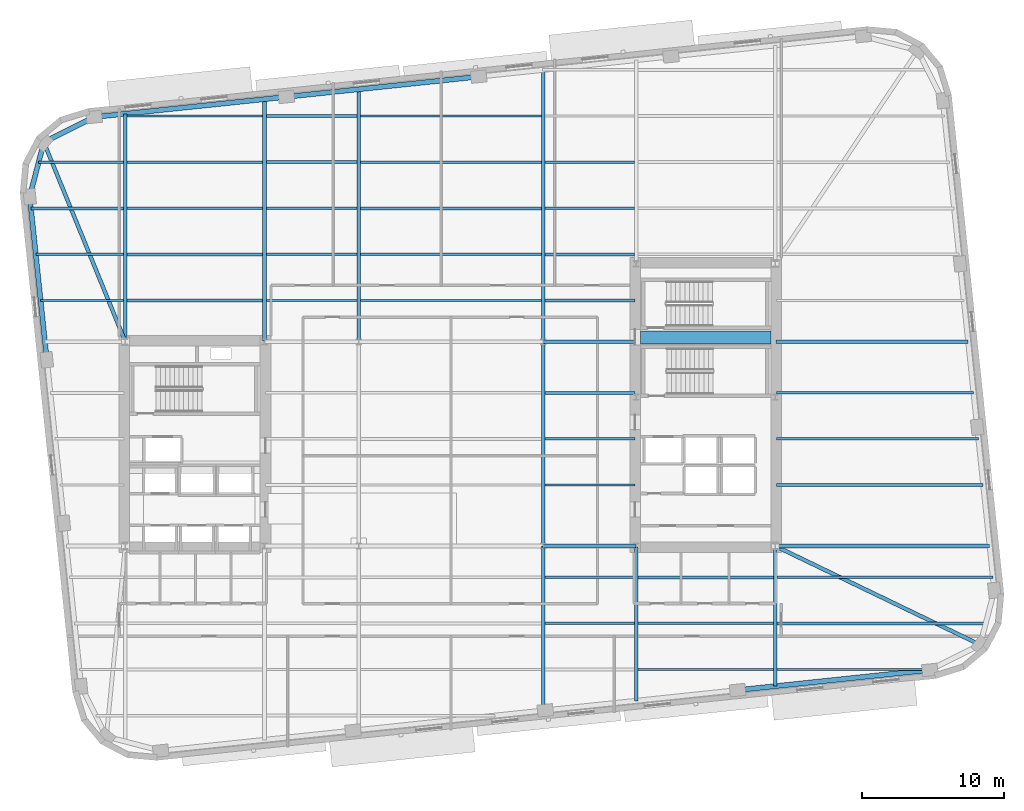
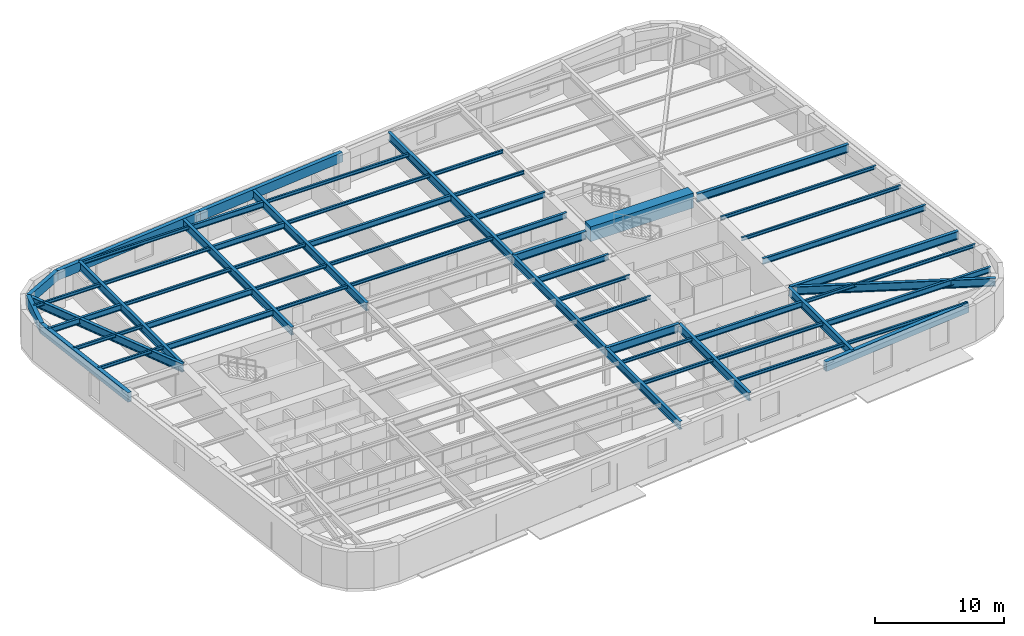
# One storey, part 2 of 11: 58 beams.
"""IFC4 building model written with IfcOpenShell, lengths in metres."""

from ifc_helpers import new_model, si_unit, direction, frame, origin, origin_2d, place, context, subcontext, project, spatial, rectangle, hollow_rectangle, i_section, extrude, material, material_profile, profile_set, type_object, element, save


model = new_model("IFC4")

# Units and contexts
model_context = context("Model", 3, precision=1e-05, world=origin(), true_north=direction((0.0, 1.0)))
body_context = subcontext(model_context, "Body", "Model", "MODEL_VIEW")
ifc_project = project(units=[si_unit("LENGTHUNIT", "METRE"), si_unit("AREAUNIT", "SQUARE_METRE"), si_unit("VOLUMEUNIT", "CUBIC_METRE"), si_unit("PLANEANGLEUNIT", "RADIAN"), si_unit("MASSUNIT", "GRAM", prefix="KILO")], contexts=[model_context])

# Site, building, storey
site_placement = place(None, origin())
site = spatial("IfcSite", under=ifc_project, at=site_placement, CompositionType="ELEMENT")
building_placement = place(site_placement, origin())
building = spatial("IfcBuilding", under=site, at=building_placement, Name="Kolvaren Arena Tower", CompositionType="ELEMENT")
storey_placement = place(building_placement, frame((0.0, 0.0, 134.5)))
storey = spatial("IfcBuildingStorey", under=building, at=storey_placement, Name="L31", CompositionType="ELEMENT", Elevation=134.5)

# Beams
ifc_material_1 = material(Name="Steel CSA G40.21 350W", Category="steel")
ifc_material_profile_1 = material_profile(ifc_material_1, i_section(OverallWidth=0.2119140625, OverallDepth=0.54296875, WebThickness=0.01318359375, FlangeThickness=0.0244140625, FilletRadius=0.013916015625, at=origin_2d()), Name="W530x150")
ifc_profile_set_1 = profile_set([ifc_material_profile_1], Name="Steel CSA G40.21 350W")
beam_type_1 = type_object("IfcBeamType", Name="BEAM-F1", PredefinedType="BEAM", material=ifc_profile_set_1)
beam_1_placement = place(storey_placement, frame((60.485107421875, 14.0, 3.20849609375), z_axis=(1.0, 0.0, 0.0), x_axis=(0.0, 1.0, 0.0)))
element("IfcBeam", 1, at=beam_1_placement, inside=storey, type_object=beam_type_1, Name="Composite Floor Beam (L31)", PredefinedType="BEAM", context=body_context, shape_type="SweptSolid", body=[
    extrude(i_section(OverallWidth=0.2119140625, OverallDepth=0.54296875, WebThickness=0.01318359375, FlangeThickness=0.0244140625, FilletRadius=0.013916015625, at=origin_2d()), origin(), (0.0, 0.0, 1.0), 14.69677734375),
])
beam_2_placement = place(storey_placement, frame((50.68505859375, 17.25, 3.20849609375), z_axis=(1.0, 0.0, 0.0), x_axis=(0.0, 1.0, 0.0)))
element("IfcBeam", 2, at=beam_2_placement, inside=storey, type_object=beam_type_1, Name="Composite Floor Beam (L31)", PredefinedType="BEAM", context=body_context, shape_type="SweptSolid", body=[
    extrude(i_section(OverallWidth=0.2119140625, OverallDepth=0.54296875, WebThickness=0.01318359375, FlangeThickness=0.0244140625, FilletRadius=0.013916015625, at=origin_2d()), origin(), (0.0, 0.0, 1.0), 9.530029296875),
])
beam_3_placement = place(storey_placement, frame((60.445068359375, 23.75, 3.20849609375), z_axis=(1.0, 0.0, 0.0), x_axis=(0.0, 1.0, 0.0)))
element("IfcBeam", 3, at=beam_3_placement, inside=storey, type_object=beam_type_1, Name="Composite Floor Beam (L31)", PredefinedType="BEAM", context=body_context, shape_type="SweptSolid", body=[
    extrude(i_section(OverallWidth=0.2119140625, OverallDepth=0.54296875, WebThickness=0.01318359375, FlangeThickness=0.0244140625, FilletRadius=0.013916015625, at=origin_2d()), origin(), (0.0, 0.0, 1.0), 14.56103515625),
])
beam_4_placement = place(storey_placement, frame((44.135009765625, 30.25, 3.20849609375), z_axis=(1.0, 0.0, 0.0), x_axis=(0.0, 1.0, 0.0)))
element("IfcBeam", 4, at=beam_4_placement, inside=storey, type_object=beam_type_1, Name="Composite Floor Beam (L31)", PredefinedType="BEAM", context=body_context, shape_type="SweptSolid", body=[
    extrude(i_section(OverallWidth=0.2119140625, OverallDepth=0.54296875, WebThickness=0.01318359375, FlangeThickness=0.0244140625, FilletRadius=0.013916015625, at=origin_2d()), origin(), (0.0, 0.0, 1.0), 6.320068359375),
])
beam_5_placement = place(storey_placement, frame((14.68505859375, 36.75, 3.20849609375), z_axis=(1.0, 0.0, 0.0), x_axis=(0.0, 1.0, 0.0)))
element("IfcBeam", 5, at=beam_5_placement, inside=storey, type_object=beam_type_1, Name="Composite Floor Beam (L31)", PredefinedType="BEAM", context=body_context, shape_type="SweptSolid", body=[
    extrude(i_section(OverallWidth=0.2119140625, OverallDepth=0.54296875, WebThickness=0.01318359375, FlangeThickness=0.0244140625, FilletRadius=0.013916015625, at=origin_2d()), origin(), (0.0, 0.0, 1.0), 9.530029296875),
])
beam_6_placement = place(storey_placement, frame((44.135009765625, 36.75, 3.20849609375), z_axis=(1.0, 0.0, 0.0), x_axis=(0.0, 1.0, 0.0)))
element("IfcBeam", 6, at=beam_6_placement, inside=storey, type_object=beam_type_1, Name="Composite Floor Beam (L31)", PredefinedType="BEAM", context=body_context, shape_type="SweptSolid", body=[
    extrude(i_section(OverallWidth=0.2119140625, OverallDepth=0.54296875, WebThickness=0.01318359375, FlangeThickness=0.0244140625, FilletRadius=0.013916015625, at=origin_2d()), origin(), (0.0, 0.0, 1.0), 6.320068359375),
])
beam_7_placement = place(storey_placement, frame((14.68505859375, 40.0, 3.20849609375), z_axis=(1.0, 0.0, 0.0), x_axis=(0.0, 1.0, 0.0)))
element("IfcBeam", 7, at=beam_7_placement, inside=storey, type_object=beam_type_1, Name="Composite Floor Beam (L31)", PredefinedType="BEAM", context=body_context, shape_type="SweptSolid", body=[
    extrude(i_section(OverallWidth=0.2119140625, OverallDepth=0.54296875, WebThickness=0.01318359375, FlangeThickness=0.0244140625, FilletRadius=0.013916015625, at=origin_2d()), origin(), (0.0, 0.0, 1.0), 9.530029296875),
])
beam_8_placement = place(storey_placement, frame((44.135009765625, 40.0, 3.20849609375), z_axis=(1.0, 0.0, 0.0), x_axis=(0.0, 1.0, 0.0)))
element("IfcBeam", 8, at=beam_8_placement, inside=storey, type_object=beam_type_1, Name="Composite Floor Beam (L31)", PredefinedType="BEAM", context=body_context, shape_type="SweptSolid", body=[
    extrude(i_section(OverallWidth=0.2119140625, OverallDepth=0.54296875, WebThickness=0.01318359375, FlangeThickness=0.0244140625, FilletRadius=0.013916015625, at=origin_2d()), origin(), (0.0, 0.0, 1.0), 6.280029296875),
])
beam_9_placement = place(storey_placement, frame((7.900146484375, 43.25, 3.20849609375), z_axis=(1.0, 0.0, 0.0), x_axis=(0.0, 1.0, 0.0)))
element("IfcBeam", 9, at=beam_9_placement, inside=storey, type_object=beam_type_1, Name="Composite Floor Beam (L31)", PredefinedType="BEAM", context=body_context, shape_type="SweptSolid", body=[
    extrude(i_section(OverallWidth=0.2119140625, OverallDepth=0.54296875, WebThickness=0.01318359375, FlangeThickness=0.0244140625, FilletRadius=0.013916015625, at=origin_2d()), origin(), (0.0, 0.0, 1.0), 6.514892578125),
])
beam_10_placement = place(storey_placement, frame((31.135009765625, 43.25, 3.20849609375), z_axis=(1.0, 0.0, 0.0), x_axis=(0.0, 1.0, 0.0)))
element("IfcBeam", 10, at=beam_10_placement, inside=storey, type_object=beam_type_1, Name="Composite Floor Beam (L31)", PredefinedType="BEAM", context=body_context, shape_type="SweptSolid", body=[
    extrude(i_section(OverallWidth=0.2119140625, OverallDepth=0.54296875, WebThickness=0.01318359375, FlangeThickness=0.0244140625, FilletRadius=0.013916015625, at=origin_2d()), origin(), (0.0, 0.0, 1.0), 12.72998046875),
])
for number, where, z_axis, x_axis, name in (
    (11, (24.485107421875, 46.5, 3.20849609375), (1.0, 0.0, 0.0), (0.0, 1.0, 0.0), "Composite Floor Beam (L31)"),
    (12, (24.485107421875, 49.75, 3.20849609375), (1.0, 0.0, 0.0), (0.0, 1.0, 0.0), "Composite Floor Beam (L31)"),
):
    element("IfcBeam", number, at=place(storey_placement, frame(where, z_axis=z_axis, x_axis=x_axis)), inside=storey, type_object=beam_type_1, Name=name, PredefinedType="BEAM", context=body_context, shape_type="SweptSolid", body=[
        extrude(i_section(OverallWidth=0.2119140625, OverallDepth=0.54296875, WebThickness=0.01318359375, FlangeThickness=0.0244140625, FilletRadius=0.013916015625, at=origin_2d()), origin(), (0.0, 0.0, 1.0), 6.3798828125),
    ])
ifc_material_2 = material(Name="Concrete 75 MPa", Category="concrete")
ifc_material_profile_2 = material_profile(ifc_material_2, rectangle(XDim=0.89990234375, YDim=1.39990234375, at=origin_2d()), Name="RC-900x1400")
ifc_profile_set_2 = profile_set([ifc_material_profile_2], Name="Concrete 75 MPa")
beam_type_2 = type_object("IfcBeamType", Name="CB-CORE-1", PredefinedType="BEAM", material=ifc_profile_set_2)
beam_11_placement = place(storey_placement, frame((50.85009765625, 34.14990234375, 3.050048828125), z_axis=(1.0, 0.0, 0.0), x_axis=(0.0, 1.0, 0.0)))
element("IfcBeam", 13, at=beam_11_placement, inside=storey, type_object=beam_type_2, Name="East Core Coupling Beam (L31)", PredefinedType="BEAM", context=body_context, shape_type="SweptSolid", body=[
    extrude(rectangle(XDim=0.89990234375, YDim=1.39990234375, at=origin_2d()), origin(), (0.0, 0.0, 1.0), 9.199951171875),
])
ifc_material_profile_3 = material_profile(ifc_material_1, i_section(OverallWidth=0.27001953125, OverallDepth=0.77294921875, WebThickness=0.019287109375, FlangeThickness=0.033447265625, FilletRadius=0.01806640625, at=origin_2d()), Name="W760x257")
ifc_profile_set_3 = profile_set([ifc_material_profile_3], Name="Steel CSA G40.21 350W")
beam_type_3 = type_object("IfcBeamType", Name="GIRD-T1", PredefinedType="BEAM", material=ifc_profile_set_3)
beam_12_placement = place(storey_placement, frame((74.790283203125, 12.49267578125, 3.093505859375), z_axis=(-0.900889626424, 0.43404824732, 0.0), x_axis=(-0.43404824732, -0.900889626424, 0.0)))
element("IfcBeam", 14, at=beam_12_placement, inside=storey, type_object=beam_type_3, Name="Corner Diagonal Tie Girder (L31)", PredefinedType="BEAM", context=body_context, shape_type="SweptSolid", body=[
    extrude(i_section(OverallWidth=0.27001953125, OverallDepth=0.77294921875, WebThickness=0.019287109375, FlangeThickness=0.033447265625, FilletRadius=0.01806640625, at=origin_2d()), origin(), (0.0, 0.0, 1.0), 16.02880859375),
])
beam_13_placement = place(storey_placement, frame((8.8095703125, 47.9072265625, 3.093505859375), z_axis=(0.378059288681, -0.925781385772, 0.0), x_axis=(0.925781385772, 0.378059288681, 0.0)))
element("IfcBeam", 15, at=beam_13_placement, inside=storey, type_object=beam_type_3, Name="Corner Diagonal Tie Girder (L31)", PredefinedType="BEAM", context=body_context, shape_type="SweptSolid", body=[
    extrude(i_section(OverallWidth=0.27001953125, OverallDepth=0.77294921875, WebThickness=0.019287109375, FlangeThickness=0.033447265625, FilletRadius=0.01806640625, at=origin_2d()), origin(), (0.0, 0.0, 1.0), 15.18408203125),
])
beam_14_placement = place(storey_placement, frame((44.0, 19.449951171875, 3.093505859375), z_axis=(1.0, 0.0, 0.0), x_axis=(0.0, 1.0, 0.0)))
element("IfcBeam", 16, at=beam_14_placement, inside=storey, type_object=beam_type_3, Name="Primary Floor Girder (L31)", PredefinedType="BEAM", context=body_context, shape_type="SweptSolid", body=[
    extrude(i_section(OverallWidth=0.27001953125, OverallDepth=0.77294921875, WebThickness=0.019287109375, FlangeThickness=0.033447265625, FilletRadius=0.01806640625, at=origin_2d()), origin(), (0.0, 0.0, 1.0), 6.4951171875),
])
beam_15_placement = place(storey_placement, frame((60.405029296875, 19.449951171875, 3.093505859375), z_axis=(1.0, 0.0, 0.0), x_axis=(0.0, 1.0, 0.0)))
element("IfcBeam", 17, at=beam_15_placement, inside=storey, type_object=beam_type_3, Name="Primary Floor Girder (L31)", PredefinedType="BEAM", context=body_context, shape_type="SweptSolid", body=[
    extrude(i_section(OverallWidth=0.27001953125, OverallDepth=0.77294921875, WebThickness=0.019287109375, FlangeThickness=0.033447265625, FilletRadius=0.01806640625, at=origin_2d()), origin(), (0.0, 0.0, 1.0), 15.052978515625),
])
beam_16_placement = place(storey_placement, frame((44.0, 33.85009765625, 3.093505859375), z_axis=(1.0, 0.0, 0.0), x_axis=(0.0, 1.0, 0.0)))
element("IfcBeam", 18, at=beam_16_placement, inside=storey, type_object=beam_type_3, Name="Primary Floor Girder (L31)", PredefinedType="BEAM", context=body_context, shape_type="SweptSolid", body=[
    extrude(i_section(OverallWidth=0.27001953125, OverallDepth=0.77294921875, WebThickness=0.019287109375, FlangeThickness=0.033447265625, FilletRadius=0.01806640625, at=origin_2d()), origin(), (0.0, 0.0, 1.0), 6.4951171875),
])
beam_17_placement = place(storey_placement, frame((60.405029296875, 33.85009765625, 3.093505859375), z_axis=(1.0, 0.0, 0.0), x_axis=(0.0, 1.0, 0.0)))
element("IfcBeam", 19, at=beam_17_placement, inside=storey, type_object=beam_type_3, Name="Primary Floor Girder (L31)", PredefinedType="BEAM", context=body_context, shape_type="SweptSolid", body=[
    extrude(i_section(OverallWidth=0.27001953125, OverallDepth=0.77294921875, WebThickness=0.019287109375, FlangeThickness=0.033447265625, FilletRadius=0.01806640625, at=origin_2d()), origin(), (0.0, 0.0, 1.0), 13.53955078125),
])
beam_18_placement = place(storey_placement, frame((14.550048828125, 33.905029296875, 3.093505859375), z_axis=(0.0, 1.0, 0.0), x_axis=(-1.0, 0.0, 0.0)))
element("IfcBeam", 20, at=beam_18_placement, inside=storey, type_object=beam_type_3, Name="Primary Floor Girder (L31)", PredefinedType="BEAM", context=body_context, shape_type="SweptSolid", body=[
    extrude(i_section(OverallWidth=0.27001953125, OverallDepth=0.77294921875, WebThickness=0.019287109375, FlangeThickness=0.033447265625, FilletRadius=0.01806640625, at=origin_2d()), origin(), (0.0, 0.0, 1.0), 16.004638671875),
])
beam_19_placement = place(storey_placement, frame((24.35009765625, 33.905029296875, 3.093505859375), z_axis=(0.0, 1.0, 0.0), x_axis=(-1.0, 0.0, 0.0)))
element("IfcBeam", 21, at=beam_19_placement, inside=storey, type_object=beam_type_3, Name="Primary Floor Girder (L31)", PredefinedType="BEAM", context=body_context, shape_type="SweptSolid", body=[
    extrude(i_section(OverallWidth=0.27001953125, OverallDepth=0.77294921875, WebThickness=0.019287109375, FlangeThickness=0.033447265625, FilletRadius=0.01806640625, at=origin_2d()), origin(), (0.0, 0.0, 1.0), 17.03466796875),
])
beam_20_placement = place(storey_placement, frame((31.0, 33.85009765625, 3.093505859375), z_axis=(0.0, 1.0, 0.0), x_axis=(-1.0, 0.0, 0.0)))
element("IfcBeam", 22, at=beam_20_placement, inside=storey, type_object=beam_type_3, Name="Primary Floor Girder (L31)", PredefinedType="BEAM", context=body_context, shape_type="SweptSolid", body=[
    extrude(i_section(OverallWidth=0.27001953125, OverallDepth=0.77294921875, WebThickness=0.019287109375, FlangeThickness=0.033447265625, FilletRadius=0.01806640625, at=origin_2d()), origin(), (0.0, 0.0, 1.0), 17.788330078125),
])
beam_21_placement = place(storey_placement, frame((44.0, 7.857666015625, 3.093505859375), z_axis=(0.0, 1.0, 0.0), x_axis=(-1.0, 0.0, 0.0)))
element("IfcBeam", 23, at=beam_21_placement, inside=storey, type_object=beam_type_3, Name="Primary Floor Girder (L31)", PredefinedType="BEAM", context=body_context, shape_type="SweptSolid", body=[
    extrude(i_section(OverallWidth=0.27001953125, OverallDepth=0.77294921875, WebThickness=0.019287109375, FlangeThickness=0.033447265625, FilletRadius=0.01806640625, at=origin_2d()), origin(), (0.0, 0.0, 1.0), 11.59228515625),
])
beam_22_placement = place(storey_placement, frame((44.0, 19.449951171875, 3.093505859375), z_axis=(0.0, 1.0, 0.0), x_axis=(-1.0, 0.0, 0.0)))
element("IfcBeam", 24, at=beam_22_placement, inside=storey, type_object=beam_type_3, Name="Primary Floor Girder (L31)", PredefinedType="BEAM", context=body_context, shape_type="SweptSolid", body=[
    extrude(i_section(OverallWidth=0.27001953125, OverallDepth=0.77294921875, WebThickness=0.019287109375, FlangeThickness=0.033447265625, FilletRadius=0.01806640625, at=origin_2d()), origin(), (0.0, 0.0, 1.0), 14.400146484375),
])
beam_23_placement = place(storey_placement, frame((44.0, 33.85009765625, 3.093505859375), z_axis=(0.0, 1.0, 0.0), x_axis=(-1.0, 0.0, 0.0)))
element("IfcBeam", 25, at=beam_23_placement, inside=storey, type_object=beam_type_3, Name="Primary Floor Girder (L31)", PredefinedType="BEAM", context=body_context, shape_type="SweptSolid", body=[
    extrude(i_section(OverallWidth=0.27001953125, OverallDepth=0.77294921875, WebThickness=0.019287109375, FlangeThickness=0.033447265625, FilletRadius=0.01806640625, at=origin_2d()), origin(), (0.0, 0.0, 1.0), 19.15478515625),
])
beam_24_placement = place(storey_placement, frame((50.550048828125, 8.5458984375, 3.093505859375), z_axis=(0.0, 1.0, 0.0), x_axis=(-1.0, 0.0, 0.0)))
element("IfcBeam", 26, at=beam_24_placement, inside=storey, type_object=beam_type_3, Name="Primary Floor Girder (L31)", PredefinedType="BEAM", context=body_context, shape_type="SweptSolid", body=[
    extrude(i_section(OverallWidth=0.27001953125, OverallDepth=0.77294921875, WebThickness=0.019287109375, FlangeThickness=0.033447265625, FilletRadius=0.01806640625, at=origin_2d()), origin(), (0.0, 0.0, 1.0), 10.84912109375),
])
beam_25_placement = place(storey_placement, frame((60.35009765625, 9.575927734375, 3.093505859375), z_axis=(0.0, 1.0, 0.0), x_axis=(-1.0, 0.0, 0.0)))
element("IfcBeam", 27, at=beam_25_placement, inside=storey, type_object=beam_type_3, Name="Primary Floor Girder (L31)", PredefinedType="BEAM", context=body_context, shape_type="SweptSolid", body=[
    extrude(i_section(OverallWidth=0.27001953125, OverallDepth=0.77294921875, WebThickness=0.019287109375, FlangeThickness=0.033447265625, FilletRadius=0.01806640625, at=origin_2d()), origin(), (0.0, 0.0, 1.0), 9.819091796875),
])
ifc_material_profile_4 = material_profile(ifc_material_1, i_section(OverallWidth=0.1669921875, OverallDepth=0.31689453125, WebThickness=0.007568359375, FlangeThickness=0.01318359375, FilletRadius=0.010009765625, at=origin_2d()), Name="W310x52")
ifc_profile_set_4 = profile_set([ifc_material_profile_4], Name="Steel CSA G40.21 350W")
beam_type_4 = type_object("IfcBeamType", Name="JOIST-02", PredefinedType="JOIST", material=ifc_profile_set_4)
beam_26_placement = place(storey_placement, frame((50.68505859375, 10.75, 3.321533203125), z_axis=(1.0, 0.0, 0.0), x_axis=(0.0, 1.0, 0.0)))
element("IfcBeam", 28, at=beam_26_placement, inside=storey, type_object=beam_type_4, Name="Composite Floor Joist (L31)", PredefinedType="JOIST", context=body_context, shape_type="SweptSolid", body=[
    extrude(i_section(OverallWidth=0.1669921875, OverallDepth=0.31689453125, WebThickness=0.007568359375, FlangeThickness=0.01318359375, FilletRadius=0.010009765625, at=origin_2d()), origin(), (0.0, 0.0, 1.0), 9.530029296875),
])
beam_27_placement = place(storey_placement, frame((60.485107421875, 10.75, 3.321533203125), z_axis=(1.0, 0.0, 0.0), x_axis=(0.0, 1.0, 0.0)))
element("IfcBeam", 29, at=beam_27_placement, inside=storey, type_object=beam_type_4, Name="Composite Floor Joist (L31)", PredefinedType="JOIST", context=body_context, shape_type="SweptSolid", body=[
    extrude(i_section(OverallWidth=0.1669921875, OverallDepth=0.31689453125, WebThickness=0.007568359375, FlangeThickness=0.01318359375, FilletRadius=0.010009765625, at=origin_2d()), origin(), (0.0, 0.0, 1.0), 10.819580078125),
])
beam_28_placement = place(storey_placement, frame((44.135009765625, 14.0, 3.321533203125), z_axis=(1.0, 0.0, 0.0), x_axis=(0.0, 1.0, 0.0)))
element("IfcBeam", 30, at=beam_28_placement, inside=storey, type_object=beam_type_4, Name="Composite Floor Joist (L31)", PredefinedType="JOIST", context=body_context, shape_type="SweptSolid", body=[
    extrude(i_section(OverallWidth=0.1669921875, OverallDepth=0.31689453125, WebThickness=0.007568359375, FlangeThickness=0.01318359375, FilletRadius=0.010009765625, at=origin_2d()), origin(), (0.0, 0.0, 1.0), 6.280029296875),
])
beam_29_placement = place(storey_placement, frame((50.68505859375, 14.0, 3.321533203125), z_axis=(1.0, 0.0, 0.0), x_axis=(0.0, 1.0, 0.0)))
element("IfcBeam", 31, at=beam_29_placement, inside=storey, type_object=beam_type_4, Name="Composite Floor Joist (L31)", PredefinedType="JOIST", context=body_context, shape_type="SweptSolid", body=[
    extrude(i_section(OverallWidth=0.1669921875, OverallDepth=0.31689453125, WebThickness=0.007568359375, FlangeThickness=0.01318359375, FilletRadius=0.010009765625, at=origin_2d()), origin(), (0.0, 0.0, 1.0), 9.530029296875),
])
beam_30_placement = place(storey_placement, frame((44.135009765625, 17.25, 3.321533203125), z_axis=(1.0, 0.0, 0.0), x_axis=(0.0, 1.0, 0.0)))
element("IfcBeam", 32, at=beam_30_placement, inside=storey, type_object=beam_type_4, Name="Composite Floor Joist (L31)", PredefinedType="JOIST", context=body_context, shape_type="SweptSolid", body=[
    extrude(i_section(OverallWidth=0.1669921875, OverallDepth=0.31689453125, WebThickness=0.007568359375, FlangeThickness=0.01318359375, FilletRadius=0.010009765625, at=origin_2d()), origin(), (0.0, 0.0, 1.0), 6.280029296875),
])
beam_31_placement = place(storey_placement, frame((60.485107421875, 17.25, 3.321533203125), z_axis=(1.0, 0.0, 0.0), x_axis=(0.0, 1.0, 0.0)))
element("IfcBeam", 33, at=beam_31_placement, inside=storey, type_object=beam_type_4, Name="Composite Floor Joist (L31)", PredefinedType="JOIST", context=body_context, shape_type="SweptSolid", body=[
    extrude(i_section(OverallWidth=0.1669921875, OverallDepth=0.31689453125, WebThickness=0.007568359375, FlangeThickness=0.01318359375, FilletRadius=0.010009765625, at=origin_2d()), origin(), (0.0, 0.0, 1.0), 15.2041015625),
])
for number, where, z_axis, x_axis, name in (
    (34, (44.135009765625, 23.75, 3.321533203125), (1.0, 0.0, 0.0), (0.0, 1.0, 0.0), "Composite Floor Joist (L31)"),
    (35, (44.135009765625, 27.0, 3.321533203125), (1.0, 0.0, 0.0), (0.0, 1.0, 0.0), "Composite Floor Joist (L31)"),
):
    element("IfcBeam", number, at=place(storey_placement, frame(where, z_axis=z_axis, x_axis=x_axis)), inside=storey, type_object=beam_type_4, Name=name, PredefinedType="JOIST", context=body_context, shape_type="SweptSolid", body=[
        extrude(i_section(OverallWidth=0.1669921875, OverallDepth=0.31689453125, WebThickness=0.007568359375, FlangeThickness=0.01318359375, FilletRadius=0.010009765625, at=origin_2d()), origin(), (0.0, 0.0, 1.0), 6.320068359375),
    ])
beam_32_placement = place(storey_placement, frame((60.445068359375, 27.0, 3.321533203125), z_axis=(1.0, 0.0, 0.0), x_axis=(0.0, 1.0, 0.0)))
element("IfcBeam", 36, at=beam_32_placement, inside=storey, type_object=beam_type_4, Name="Composite Floor Joist (L31)", PredefinedType="JOIST", context=body_context, shape_type="SweptSolid", body=[
    extrude(i_section(OverallWidth=0.1669921875, OverallDepth=0.31689453125, WebThickness=0.007568359375, FlangeThickness=0.01318359375, FilletRadius=0.010009765625, at=origin_2d()), origin(), (0.0, 0.0, 1.0), 14.219482421875),
])
beam_33_placement = place(storey_placement, frame((60.445068359375, 30.25, 3.321533203125), z_axis=(1.0, 0.0, 0.0), x_axis=(0.0, 1.0, 0.0)))
element("IfcBeam", 37, at=beam_33_placement, inside=storey, type_object=beam_type_4, Name="Composite Floor Joist (L31)", PredefinedType="JOIST", context=body_context, shape_type="SweptSolid", body=[
    extrude(i_section(OverallWidth=0.1669921875, OverallDepth=0.31689453125, WebThickness=0.007568359375, FlangeThickness=0.01318359375, FilletRadius=0.010009765625, at=origin_2d()), origin(), (0.0, 0.0, 1.0), 13.8779296875),
])
beam_34_placement = place(storey_placement, frame((8.58349609375, 36.75, 3.321533203125), z_axis=(1.0, 0.0, 0.0), x_axis=(0.0, 1.0, 0.0)))
element("IfcBeam", 38, at=beam_34_placement, inside=storey, type_object=beam_type_4, Name="Composite Floor Joist (L31)", PredefinedType="JOIST", context=body_context, shape_type="SweptSolid", body=[
    extrude(i_section(OverallWidth=0.1669921875, OverallDepth=0.31689453125, WebThickness=0.007568359375, FlangeThickness=0.01318359375, FilletRadius=0.010009765625, at=origin_2d()), origin(), (0.0, 0.0, 1.0), 5.83154296875),
])
beam_35_placement = place(storey_placement, frame((24.485107421875, 36.75, 3.321533203125), z_axis=(1.0, 0.0, 0.0), x_axis=(0.0, 1.0, 0.0)))
element("IfcBeam", 39, at=beam_35_placement, inside=storey, type_object=beam_type_4, Name="Composite Floor Joist (L31)", PredefinedType="JOIST", context=body_context, shape_type="SweptSolid", body=[
    extrude(i_section(OverallWidth=0.1669921875, OverallDepth=0.31689453125, WebThickness=0.007568359375, FlangeThickness=0.01318359375, FilletRadius=0.010009765625, at=origin_2d()), origin(), (0.0, 0.0, 1.0), 6.3798828125),
])
beam_36_placement = place(storey_placement, frame((31.135009765625, 36.75, 3.321533203125), z_axis=(1.0, 0.0, 0.0), x_axis=(0.0, 1.0, 0.0)))
element("IfcBeam", 40, at=beam_36_placement, inside=storey, type_object=beam_type_4, Name="Composite Floor Joist (L31)", PredefinedType="JOIST", context=body_context, shape_type="SweptSolid", body=[
    extrude(i_section(OverallWidth=0.1669921875, OverallDepth=0.31689453125, WebThickness=0.007568359375, FlangeThickness=0.01318359375, FilletRadius=0.010009765625, at=origin_2d()), origin(), (0.0, 0.0, 1.0), 12.72998046875),
])
beam_37_placement = place(storey_placement, frame((8.24169921875, 40.0, 3.321533203125), z_axis=(1.0, 0.0, 0.0), x_axis=(0.0, 1.0, 0.0)))
element("IfcBeam", 41, at=beam_37_placement, inside=storey, type_object=beam_type_4, Name="Composite Floor Joist (L31)", PredefinedType="JOIST", context=body_context, shape_type="SweptSolid", body=[
    extrude(i_section(OverallWidth=0.1669921875, OverallDepth=0.31689453125, WebThickness=0.007568359375, FlangeThickness=0.01318359375, FilletRadius=0.010009765625, at=origin_2d()), origin(), (0.0, 0.0, 1.0), 6.17333984375),
])
beam_38_placement = place(storey_placement, frame((24.485107421875, 40.0, 3.321533203125), z_axis=(1.0, 0.0, 0.0), x_axis=(0.0, 1.0, 0.0)))
element("IfcBeam", 42, at=beam_38_placement, inside=storey, type_object=beam_type_4, Name="Composite Floor Joist (L31)", PredefinedType="JOIST", context=body_context, shape_type="SweptSolid", body=[
    extrude(i_section(OverallWidth=0.1669921875, OverallDepth=0.31689453125, WebThickness=0.007568359375, FlangeThickness=0.01318359375, FilletRadius=0.010009765625, at=origin_2d()), origin(), (0.0, 0.0, 1.0), 6.3798828125),
])
beam_39_placement = place(storey_placement, frame((31.135009765625, 40.0, 3.321533203125), z_axis=(1.0, 0.0, 0.0), x_axis=(0.0, 1.0, 0.0)))
element("IfcBeam", 43, at=beam_39_placement, inside=storey, type_object=beam_type_4, Name="Composite Floor Joist (L31)", PredefinedType="JOIST", context=body_context, shape_type="SweptSolid", body=[
    extrude(i_section(OverallWidth=0.1669921875, OverallDepth=0.31689453125, WebThickness=0.007568359375, FlangeThickness=0.01318359375, FilletRadius=0.010009765625, at=origin_2d()), origin(), (0.0, 0.0, 1.0), 12.72998046875),
])
beam_40_placement = place(storey_placement, frame((14.68505859375, 43.25, 3.321533203125), z_axis=(1.0, 0.0, 0.0), x_axis=(0.0, 1.0, 0.0)))
element("IfcBeam", 44, at=beam_40_placement, inside=storey, type_object=beam_type_4, Name="Composite Floor Joist (L31)", PredefinedType="JOIST", context=body_context, shape_type="SweptSolid", body=[
    extrude(i_section(OverallWidth=0.1669921875, OverallDepth=0.31689453125, WebThickness=0.007568359375, FlangeThickness=0.01318359375, FilletRadius=0.010009765625, at=origin_2d()), origin(), (0.0, 0.0, 1.0), 9.530029296875),
])
beam_41_placement = place(storey_placement, frame((24.485107421875, 43.25, 3.321533203125), z_axis=(1.0, 0.0, 0.0), x_axis=(0.0, 1.0, 0.0)))
element("IfcBeam", 45, at=beam_41_placement, inside=storey, type_object=beam_type_4, Name="Composite Floor Joist (L31)", PredefinedType="JOIST", context=body_context, shape_type="SweptSolid", body=[
    extrude(i_section(OverallWidth=0.1669921875, OverallDepth=0.31689453125, WebThickness=0.007568359375, FlangeThickness=0.01318359375, FilletRadius=0.010009765625, at=origin_2d()), origin(), (0.0, 0.0, 1.0), 6.3798828125),
])
beam_42_placement = place(storey_placement, frame((44.135009765625, 43.25, 3.321533203125), z_axis=(1.0, 0.0, 0.0), x_axis=(0.0, 1.0, 0.0)))
element("IfcBeam", 46, at=beam_42_placement, inside=storey, type_object=beam_type_4, Name="Composite Floor Joist (L31)", PredefinedType="JOIST", context=body_context, shape_type="SweptSolid", body=[
    extrude(i_section(OverallWidth=0.1669921875, OverallDepth=0.31689453125, WebThickness=0.007568359375, FlangeThickness=0.01318359375, FilletRadius=0.010009765625, at=origin_2d()), origin(), (0.0, 0.0, 1.0), 6.280029296875),
])
beam_43_placement = place(storey_placement, frame((8.444091796875, 46.5, 3.321533203125), z_axis=(1.0, 0.0, 0.0), x_axis=(0.0, 1.0, 0.0)))
element("IfcBeam", 47, at=beam_43_placement, inside=storey, type_object=beam_type_4, Name="Composite Floor Joist (L31)", PredefinedType="JOIST", context=body_context, shape_type="SweptSolid", body=[
    extrude(i_section(OverallWidth=0.1669921875, OverallDepth=0.31689453125, WebThickness=0.007568359375, FlangeThickness=0.01318359375, FilletRadius=0.010009765625, at=origin_2d()), origin(), (0.0, 0.0, 1.0), 5.970947265625),
])
beam_44_placement = place(storey_placement, frame((14.68505859375, 46.5, 3.321533203125), z_axis=(1.0, 0.0, 0.0), x_axis=(0.0, 1.0, 0.0)))
element("IfcBeam", 48, at=beam_44_placement, inside=storey, type_object=beam_type_4, Name="Composite Floor Joist (L31)", PredefinedType="JOIST", context=body_context, shape_type="SweptSolid", body=[
    extrude(i_section(OverallWidth=0.1669921875, OverallDepth=0.31689453125, WebThickness=0.007568359375, FlangeThickness=0.01318359375, FilletRadius=0.010009765625, at=origin_2d()), origin(), (0.0, 0.0, 1.0), 9.530029296875),
])
beam_45_placement = place(storey_placement, frame((31.135009765625, 46.5, 3.321533203125), z_axis=(1.0, 0.0, 0.0), x_axis=(0.0, 1.0, 0.0)))
element("IfcBeam", 49, at=beam_45_placement, inside=storey, type_object=beam_type_4, Name="Composite Floor Joist (L31)", PredefinedType="JOIST", context=body_context, shape_type="SweptSolid", body=[
    extrude(i_section(OverallWidth=0.1669921875, OverallDepth=0.31689453125, WebThickness=0.007568359375, FlangeThickness=0.01318359375, FilletRadius=0.010009765625, at=origin_2d()), origin(), (0.0, 0.0, 1.0), 12.72998046875),
])
beam_46_placement = place(storey_placement, frame((44.135009765625, 46.5, 3.321533203125), z_axis=(1.0, 0.0, 0.0), x_axis=(0.0, 1.0, 0.0)))
element("IfcBeam", 50, at=beam_46_placement, inside=storey, type_object=beam_type_4, Name="Composite Floor Joist (L31)", PredefinedType="JOIST", context=body_context, shape_type="SweptSolid", body=[
    extrude(i_section(OverallWidth=0.1669921875, OverallDepth=0.31689453125, WebThickness=0.007568359375, FlangeThickness=0.01318359375, FilletRadius=0.010009765625, at=origin_2d()), origin(), (0.0, 0.0, 1.0), 6.280029296875),
])
beam_47_placement = place(storey_placement, frame((14.68505859375, 49.75, 3.321533203125), z_axis=(1.0, 0.0, 0.0), x_axis=(0.0, 1.0, 0.0)))
element("IfcBeam", 51, at=beam_47_placement, inside=storey, type_object=beam_type_4, Name="Composite Floor Joist (L31)", PredefinedType="JOIST", context=body_context, shape_type="SweptSolid", body=[
    extrude(i_section(OverallWidth=0.1669921875, OverallDepth=0.31689453125, WebThickness=0.007568359375, FlangeThickness=0.01318359375, FilletRadius=0.010009765625, at=origin_2d()), origin(), (0.0, 0.0, 1.0), 9.530029296875),
])
beam_48_placement = place(storey_placement, frame((31.135009765625, 49.75, 3.321533203125), z_axis=(1.0, 0.0, 0.0), x_axis=(0.0, 1.0, 0.0)))
element("IfcBeam", 52, at=beam_48_placement, inside=storey, type_object=beam_type_4, Name="Composite Floor Joist (L31)", PredefinedType="JOIST", context=body_context, shape_type="SweptSolid", body=[
    extrude(i_section(OverallWidth=0.1669921875, OverallDepth=0.31689453125, WebThickness=0.007568359375, FlangeThickness=0.01318359375, FilletRadius=0.010009765625, at=origin_2d()), origin(), (0.0, 0.0, 1.0), 12.72998046875),
])
ifc_material_3 = material(Name="Steel CSA G40.21 350WT", Category="steel")
ifc_material_profile_5 = material_profile(ifc_material_3, hollow_rectangle(XDim=0.35009765625, YDim=0.89990234375, WallThickness=0.02001953125, at=origin_2d()), Name="HSS 900x350x20")
ifc_profile_set_5 = profile_set([ifc_material_profile_5], Name="Steel CSA G40.21 350WT")
beam_type_5 = type_object("IfcBeamType", Name="SPAND-01", PredefinedType="SPANDREL", material=ifc_profile_set_5)
for number, where, z_axis, x_axis, name in (
    (53, (57.697021484375, 9.297119140625, 3.030029296875), (0.994520955135, 0.104537408603, 0.0), (-0.104537408603, 0.994520955135, 0.0), "Perimeter Spandrel Beam (L31)"),
    (54, (39.453369140625, 52.527099609375, 3.030029296875), (-0.994520955135, -0.104537408603, 0.0), (0.104537408603, -0.994520955135, 0.0), "Perimeter Spandrel Beam (L31)"),
):
    element("IfcBeam", number, at=place(storey_placement, frame(where, z_axis=z_axis, x_axis=x_axis)), inside=storey, type_object=beam_type_5, Name=name, PredefinedType="SPANDREL", context=body_context, shape_type="SweptSolid", body=[
        extrude(hollow_rectangle(XDim=0.35009765625, YDim=0.89990234375, WallThickness=0.02001953125, at=origin_2d()), origin(), (0.0, 0.0, 1.0), 13.625),
    ])
beam_49_placement = place(storey_placement, frame((25.903076171875, 51.102783203125, 3.030029296875), z_axis=(-0.994523013632, -0.104517823154, 0.0), x_axis=(0.104517823154, -0.994523013632, 0.0)))
element("IfcBeam", 55, at=beam_49_placement, inside=storey, type_object=beam_type_5, Name="Perimeter Spandrel Beam (L31)", PredefinedType="SPANDREL", context=body_context, shape_type="SweptSolid", body=[
    extrude(hollow_rectangle(XDim=0.35009765625, YDim=0.89990234375, WallThickness=0.02001953125, at=origin_2d()), origin(), (0.0, 0.0, 1.0), 13.625244140625),
])
beam_50_placement = place(storey_placement, frame((12.3525390625, 49.6787109375, 3.030029296875), z_axis=(-0.894427191, -0.4472135955, 0.0), x_axis=(0.4472135955, -0.894427191, 0.0)))
element("IfcBeam", 56, at=beam_50_placement, inside=storey, type_object=beam_type_5, Name="Perimeter Spandrel Beam (L31)", PredefinedType="SPANDREL", context=body_context, shape_type="SweptSolid", body=[
    extrude(hollow_rectangle(XDim=0.35009765625, YDim=0.89990234375, WallThickness=0.02001953125, at=origin_2d()), origin(), (0.0, 0.0, 1.0), 3.961181640625),
])
beam_51_placement = place(storey_placement, frame((8.8095703125, 47.9072265625, 3.030029296875), z_axis=(-0.25141561169, -0.96787922294, 0.0), x_axis=(0.96787922294, -0.25141561169, 0.0)))
element("IfcBeam", 57, at=beam_51_placement, inside=storey, type_object=beam_type_5, Name="Perimeter Spandrel Beam (L31)", PredefinedType="SPANDREL", context=body_context, shape_type="SweptSolid", body=[
    extrude(hollow_rectangle(XDim=0.35009765625, YDim=0.89990234375, WallThickness=0.02001953125, at=origin_2d()), origin(), (0.0, 0.0, 1.0), 3.9609375),
])
beam_52_placement = place(storey_placement, frame((7.813720703125, 44.073486328125, 3.030029296875), z_axis=(0.104524366116, -0.994522325988, 0.0), x_axis=(0.994522325988, 0.104524366116, 0.0)))
element("IfcBeam", 58, at=beam_52_placement, inside=storey, type_object=beam_type_5, Name="Perimeter Spandrel Beam (L31)", PredefinedType="SPANDREL", context=body_context, shape_type="SweptSolid", body=[
    extrude(hollow_rectangle(XDim=0.35009765625, YDim=0.89990234375, WallThickness=0.02001953125, at=origin_2d()), origin(), (0.0, 0.0, 1.0), 11.566650390625),
])

save(model, "model.ifc")
